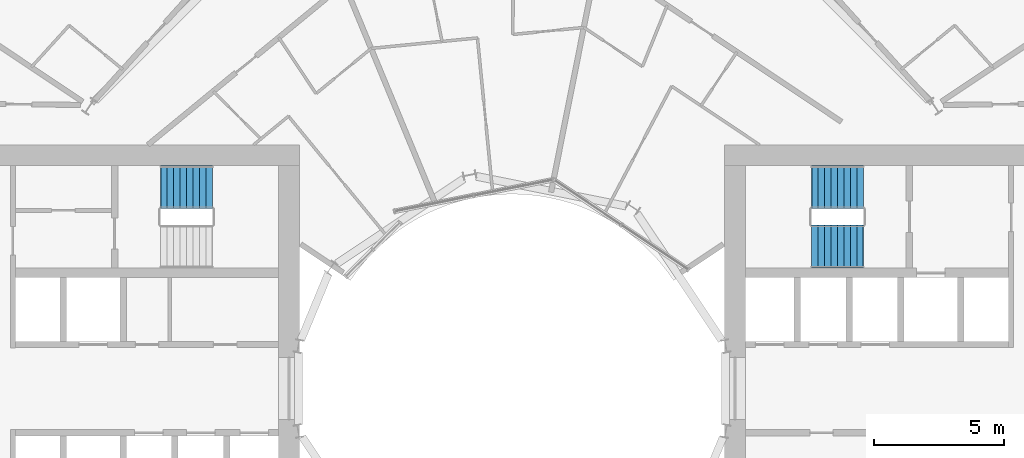
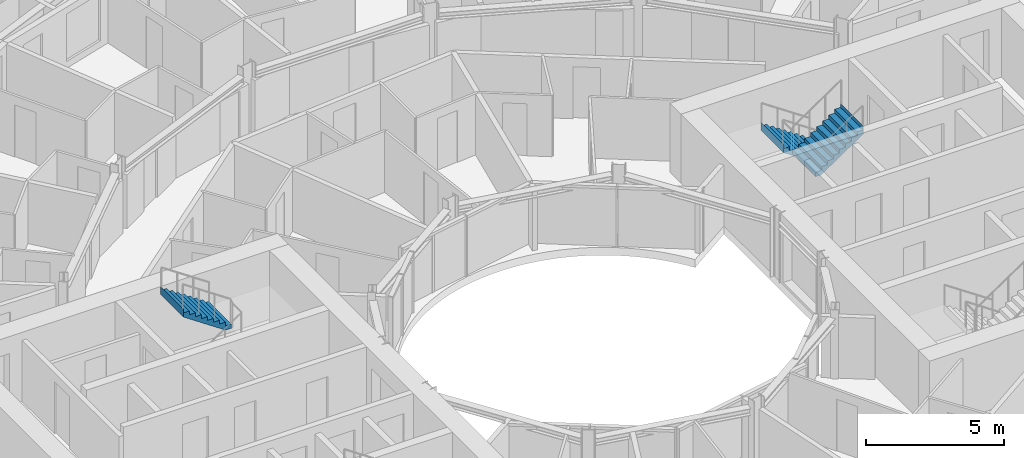
# One storey, part 24 of 26: 3 stair flights, 2 elements without a shape of their own.
"""IFC4 building model written with IfcOpenShell, lengths in metres."""

from ifc_helpers import new_model, si_unit, direction, frame, origin, place, context, subcontext, project, spatial, triangles, material, type_object, element, aggregate, save


model = new_model("IFC4")

# Units and contexts
model_context = context("Model", 3, precision=1e-05, world=origin(), true_north=direction((0.0, 1.0)))
body_context = subcontext(model_context, "Body", "Model", "MODEL_VIEW")
ifc_project = project(units=[si_unit("LENGTHUNIT", "METRE"), si_unit("AREAUNIT", "SQUARE_METRE"), si_unit("VOLUMEUNIT", "CUBIC_METRE"), si_unit("PLANEANGLEUNIT", "RADIAN"), si_unit("MASSUNIT", "GRAM", prefix="KILO")], contexts=[model_context])

# Site, building, storey
site_placement = place(None, origin())
site = spatial("IfcSite", under=ifc_project, at=site_placement, CompositionType="ELEMENT")
building_placement = place(site_placement, origin())
building = spatial("IfcBuilding", under=site, at=building_placement, Name="Maasbend Ring Residences", CompositionType="ELEMENT")
storey_placement = place(building_placement, frame((0.0, 0.0, 22.800048828125)))
storey = spatial("IfcBuildingStorey", under=building, at=storey_placement, Name="L05", CompositionType="ELEMENT", Elevation=22.800048828125)

# Stair, stair flights
ifc_material_1 = material(Name="Concrete C40/50", Category="concrete")
stair_type = type_object("IfcStairType", Name="CORE STAIR 18 RISERS", PredefinedType="HALF_TURN_STAIR", material=ifc_material_1)
stair_1_placement = place(storey_placement, origin())
stair_1 = element("IfcStair", 1, at=stair_1_placement, inside=storey, type_object=stair_type, Name="L05 Exit stair ST-E1", PredefinedType="HALF_TURN_STAIR")
ifc_material_2 = material(Name="Concrete C40/50", Category="concrete")
stair_flight_type = type_object("IfcStairFlightType", Name="CORE STAIR FLIGHT 1650", PredefinedType="STRAIGHT", material=ifc_material_2)
stair_flight_1_placement = place(storey_placement, frame((13.550048828125, 7.77490234375, 0.0), z_axis=(0.0, 0.0, 1.0), x_axis=(-1.0, 0.0, 0.0)))
stair_flight_1 = element("IfcStairFlight", 2, at=stair_flight_1_placement, type_object=stair_flight_type, Name="ST-E1 flight 1", NumberOfRisers=9, NumberOfTreads=8, PredefinedType="STRAIGHT", RiserHeight=0.169444444, TreadLength=0.25, context=body_context, shape_type="Tessellation", body=[
    triangles([(0.24072265625, 0.824951171875, -0.02001953125), (2.0029296875, 0.824951171875, 1.174560546875), (2.0029296875, 0.824951171875, 1.52490234375), (1.989990234375, 0.824951171875, 1.35546875), (1.75, 0.824951171875, 1.35546875), (1.75, 0.824951171875, 1.18603515625), (1.5, 0.824951171875, 1.18603515625), (1.5, 0.824951171875, 1.0166015625), (1.25, 0.824951171875, 1.0166015625), (1.25, 0.824951171875, 0.84716796875), (1.0, 0.824951171875, 0.84716796875), (1.0, 0.824951171875, 0.677734375), (0.75, 0.824951171875, 0.677734375), (0.75, 0.824951171875, 0.50830078125), (0.5, 0.824951171875, 0.50830078125), (0.5, 0.824951171875, 0.3388671875), (0.25, 0.824951171875, 0.3388671875), (0.25, 0.824951171875, 0.16943359375), (0.0, 0.824951171875, 0.16943359375), (0.0, 0.824951171875, 0.0), (-0.0029296875, 0.824951171875, 0.0), (-0.0029296875, 0.824951171875, -0.02001953125), (0.24072265625, 0.27490234375, -0.02001953125), (2.0029296875, 0.27490234375, 1.174560546875), (2.0029296875, 0.27490234375, 1.52490234375), (1.989990234375, 0.27490234375, 1.35546875), (1.75, 0.27490234375, 1.35546875), (1.75, 0.27490234375, 1.18603515625), (1.5, 0.27490234375, 1.18603515625), (1.5, 0.27490234375, 1.0166015625), (1.25, 0.27490234375, 1.0166015625), (1.25, 0.27490234375, 0.84716796875), (1.0, 0.27490234375, 0.84716796875), (1.0, 0.27490234375, 0.677734375), (0.75, 0.27490234375, 0.677734375), (0.75, 0.27490234375, 0.50830078125), (0.5, 0.27490234375, 0.50830078125), (0.5, 0.27490234375, 0.3388671875), (0.25, 0.27490234375, 0.3388671875), (0.25, 0.27490234375, 0.16943359375), (0.0, 0.27490234375, 0.16943359375), (0.0, 0.27490234375, 0.0), (-0.0029296875, 0.27490234375, 0.0), (-0.0029296875, 0.27490234375, -0.02001953125), (0.24072265625, -0.27490234375, -0.02001953125), (2.0029296875, -0.27490234375, 1.174560546875), (2.0029296875, -0.27490234375, 1.52490234375), (1.989990234375, -0.27490234375, 1.35546875), (1.75, -0.27490234375, 1.35546875), (1.75, -0.27490234375, 1.18603515625), (1.5, -0.27490234375, 1.18603515625), (1.5, -0.27490234375, 1.0166015625), (1.25, -0.27490234375, 1.0166015625), (1.25, -0.27490234375, 0.84716796875), (1.0, -0.27490234375, 0.84716796875), (1.0, -0.27490234375, 0.677734375), (0.75, -0.27490234375, 0.677734375), (0.75, -0.27490234375, 0.50830078125), (0.5, -0.27490234375, 0.50830078125), (0.5, -0.27490234375, 0.3388671875), (0.25, -0.27490234375, 0.3388671875), (0.25, -0.27490234375, 0.16943359375), (0.0, -0.27490234375, 0.16943359375), (0.0, -0.27490234375, 0.0), (-0.0029296875, -0.27490234375, 0.0), (-0.0029296875, -0.27490234375, -0.02001953125), (0.24072265625, -0.824951171875, -0.02001953125), (2.0029296875, -0.824951171875, 1.174560546875), (2.0029296875, -0.824951171875, 1.52490234375), (1.989990234375, -0.824951171875, 1.35546875), (1.75, -0.824951171875, 1.35546875), (1.75, -0.824951171875, 1.18603515625), (1.5, -0.824951171875, 1.18603515625), (1.5, -0.824951171875, 1.0166015625), (1.25, -0.824951171875, 1.0166015625), (1.25, -0.824951171875, 0.84716796875), (1.0, -0.824951171875, 0.84716796875), (1.0, -0.824951171875, 0.677734375), (0.75, -0.824951171875, 0.677734375), (0.75, -0.824951171875, 0.50830078125), (0.5, -0.824951171875, 0.50830078125), (0.5, -0.824951171875, 0.3388671875), (0.25, -0.824951171875, 0.3388671875), (0.25, -0.824951171875, 0.16943359375), (0.0, -0.824951171875, 0.16943359375), (0.0, -0.824951171875, 0.0), (-0.0029296875, -0.824951171875, 0.0), (-0.0029296875, -0.824951171875, -0.02001953125)], [[1, 2, 24], [1, 24, 23], [23, 24, 46], [23, 46, 45], [45, 46, 68], [45, 68, 67], [2, 3, 25], [2, 25, 24], [24, 25, 47], [24, 47, 46], [46, 47, 69], [46, 69, 68], [3, 4, 26], [3, 26, 25], [25, 26, 48], [25, 48, 47], [47, 48, 70], [47, 70, 69], [4, 5, 27], [4, 27, 26], [26, 27, 49], [26, 49, 48], [48, 49, 71], [48, 71, 70], [5, 6, 28], [5, 28, 27], [27, 28, 50], [27, 50, 49], [49, 50, 72], [49, 72, 71], [6, 7, 29], [6, 29, 28], [28, 29, 51], [28, 51, 50], [50, 51, 73], [50, 73, 72], [7, 8, 30], [7, 30, 29], [29, 30, 52], [29, 52, 51], [51, 52, 74], [51, 74, 73], [8, 9, 31], [8, 31, 30], [30, 31, 53], [30, 53, 52], [52, 53, 75], [52, 75, 74], [9, 10, 32], [9, 32, 31], [31, 32, 54], [31, 54, 53], [53, 54, 76], [53, 76, 75], [10, 11, 33], [10, 33, 32], [32, 33, 55], [32, 55, 54], [54, 55, 77], [54, 77, 76], [11, 12, 34], [11, 34, 33], [33, 34, 56], [33, 56, 55], [55, 56, 78], [55, 78, 77], [12, 13, 35], [12, 35, 34], [34, 35, 57], [34, 57, 56], [56, 57, 79], [56, 79, 78], [13, 14, 36], [13, 36, 35], [35, 36, 58], [35, 58, 57], [57, 58, 80], [57, 80, 79], [14, 15, 37], [14, 37, 36], [36, 37, 59], [36, 59, 58], [58, 59, 81], [58, 81, 80], [15, 16, 38], [15, 38, 37], [37, 38, 60], [37, 60, 59], [59, 60, 82], [59, 82, 81], [16, 17, 39], [16, 39, 38], [38, 39, 61], [38, 61, 60], [60, 61, 83], [60, 83, 82], [17, 18, 40], [17, 40, 39], [39, 40, 62], [39, 62, 61], [61, 62, 84], [61, 84, 83], [18, 19, 41], [18, 41, 40], [40, 41, 63], [40, 63, 62], [62, 63, 85], [62, 85, 84], [19, 20, 42], [19, 42, 41], [41, 42, 64], [41, 64, 63], [63, 64, 86], [63, 86, 85], [20, 21, 43], [20, 43, 42], [42, 43, 65], [42, 65, 64], [64, 65, 87], [64, 87, 86], [21, 22, 44], [21, 44, 43], [43, 44, 66], [43, 66, 65], [65, 66, 88], [65, 88, 87], [22, 1, 23], [22, 23, 44], [44, 23, 45], [44, 45, 66], [66, 45, 67], [66, 67, 88], [22, 2, 1], [2, 4, 3], [2, 5, 4], [2, 6, 5], [22, 6, 2], [6, 8, 7], [22, 8, 6], [8, 10, 9], [22, 10, 8], [10, 12, 11], [22, 12, 10], [12, 14, 13], [22, 14, 12], [14, 16, 15], [22, 16, 14], [16, 18, 17], [22, 18, 16], [18, 20, 19], [22, 20, 18], [20, 22, 21], [88, 67, 68], [68, 69, 70], [68, 70, 71], [68, 71, 72], [88, 68, 72], [72, 73, 74], [88, 72, 74], [74, 75, 76], [88, 74, 76], [76, 77, 78], [88, 76, 78], [78, 79, 80], [88, 78, 80], [80, 81, 82], [88, 80, 82], [82, 83, 84], [88, 82, 84], [84, 85, 86], [88, 84, 86], [86, 87, 88]], closed=True),
])
stair_flight_2_placement = place(storey_placement, frame((11.550048828125, 5.47509765625, 1.52490234375), z_axis=(0.0, 0.0, 1.0), x_axis=(1.0, 0.0, 0.0)))
stair_flight_2 = element("IfcStairFlight", 3, at=stair_flight_2_placement, type_object=stair_flight_type, Name="ST-E1 flight 2", NumberOfRisers=9, NumberOfTreads=8, PredefinedType="STRAIGHT", RiserHeight=0.169444444, TreadLength=0.25, context=body_context, shape_type="Tessellation", body=[
    triangles([(0.24072265625, 0.824951171875, -0.02001953125), (2.0029296875, 0.824951171875, 1.174560546875), (2.0029296875, 0.824951171875, 1.52490234375), (1.989990234375, 0.824951171875, 1.35546875), (1.75, 0.824951171875, 1.35546875), (1.75, 0.824951171875, 1.18603515625), (1.5, 0.824951171875, 1.18603515625), (1.5, 0.824951171875, 1.0166015625), (1.25, 0.824951171875, 1.0166015625), (1.25, 0.824951171875, 0.84716796875), (1.0, 0.824951171875, 0.84716796875), (1.0, 0.824951171875, 0.677734375), (0.75, 0.824951171875, 0.677734375), (0.75, 0.824951171875, 0.50830078125), (0.5, 0.824951171875, 0.50830078125), (0.5, 0.824951171875, 0.3388671875), (0.25, 0.824951171875, 0.3388671875), (0.25, 0.824951171875, 0.16943359375), (0.0, 0.824951171875, 0.16943359375), (0.0, 0.824951171875, 0.0), (-0.0029296875, 0.824951171875, 0.0), (-0.0029296875, 0.824951171875, -0.02001953125), (0.24072265625, 0.27490234375, -0.02001953125), (2.0029296875, 0.27490234375, 1.174560546875), (2.0029296875, 0.27490234375, 1.52490234375), (1.989990234375, 0.27490234375, 1.35546875), (1.75, 0.27490234375, 1.35546875), (1.75, 0.27490234375, 1.18603515625), (1.5, 0.27490234375, 1.18603515625), (1.5, 0.27490234375, 1.0166015625), (1.25, 0.27490234375, 1.0166015625), (1.25, 0.27490234375, 0.84716796875), (1.0, 0.27490234375, 0.84716796875), (1.0, 0.27490234375, 0.677734375), (0.75, 0.27490234375, 0.677734375), (0.75, 0.27490234375, 0.50830078125), (0.5, 0.27490234375, 0.50830078125), (0.5, 0.27490234375, 0.3388671875), (0.25, 0.27490234375, 0.3388671875), (0.25, 0.27490234375, 0.16943359375), (0.0, 0.27490234375, 0.16943359375), (0.0, 0.27490234375, 0.0), (-0.0029296875, 0.27490234375, 0.0), (-0.0029296875, 0.27490234375, -0.02001953125), (0.24072265625, -0.27490234375, -0.02001953125), (2.0029296875, -0.27490234375, 1.174560546875), (2.0029296875, -0.27490234375, 1.52490234375), (1.989990234375, -0.27490234375, 1.35546875), (1.75, -0.27490234375, 1.35546875), (1.75, -0.27490234375, 1.18603515625), (1.5, -0.27490234375, 1.18603515625), (1.5, -0.27490234375, 1.0166015625), (1.25, -0.27490234375, 1.0166015625), (1.25, -0.27490234375, 0.84716796875), (1.0, -0.27490234375, 0.84716796875), (1.0, -0.27490234375, 0.677734375), (0.75, -0.27490234375, 0.677734375), (0.75, -0.27490234375, 0.50830078125), (0.5, -0.27490234375, 0.50830078125), (0.5, -0.27490234375, 0.3388671875), (0.25, -0.27490234375, 0.3388671875), (0.25, -0.27490234375, 0.16943359375), (0.0, -0.27490234375, 0.16943359375), (0.0, -0.27490234375, 0.0), (-0.0029296875, -0.27490234375, 0.0), (-0.0029296875, -0.27490234375, -0.02001953125), (0.24072265625, -0.824951171875, -0.02001953125), (2.0029296875, -0.824951171875, 1.174560546875), (2.0029296875, -0.824951171875, 1.52490234375), (1.989990234375, -0.824951171875, 1.35546875), (1.75, -0.824951171875, 1.35546875), (1.75, -0.824951171875, 1.18603515625), (1.5, -0.824951171875, 1.18603515625), (1.5, -0.824951171875, 1.0166015625), (1.25, -0.824951171875, 1.0166015625), (1.25, -0.824951171875, 0.84716796875), (1.0, -0.824951171875, 0.84716796875), (1.0, -0.824951171875, 0.677734375), (0.75, -0.824951171875, 0.677734375), (0.75, -0.824951171875, 0.50830078125), (0.5, -0.824951171875, 0.50830078125), (0.5, -0.824951171875, 0.3388671875), (0.25, -0.824951171875, 0.3388671875), (0.25, -0.824951171875, 0.16943359375), (0.0, -0.824951171875, 0.16943359375), (0.0, -0.824951171875, 0.0), (-0.0029296875, -0.824951171875, 0.0), (-0.0029296875, -0.824951171875, -0.02001953125)], [[1, 2, 24], [1, 24, 23], [23, 24, 46], [23, 46, 45], [45, 46, 68], [45, 68, 67], [2, 3, 25], [2, 25, 24], [24, 25, 47], [24, 47, 46], [46, 47, 69], [46, 69, 68], [3, 4, 26], [3, 26, 25], [25, 26, 48], [25, 48, 47], [47, 48, 70], [47, 70, 69], [4, 5, 27], [4, 27, 26], [26, 27, 49], [26, 49, 48], [48, 49, 71], [48, 71, 70], [5, 6, 28], [5, 28, 27], [27, 28, 50], [27, 50, 49], [49, 50, 72], [49, 72, 71], [6, 7, 29], [6, 29, 28], [28, 29, 51], [28, 51, 50], [50, 51, 73], [50, 73, 72], [7, 8, 30], [7, 30, 29], [29, 30, 52], [29, 52, 51], [51, 52, 74], [51, 74, 73], [8, 9, 31], [8, 31, 30], [30, 31, 53], [30, 53, 52], [52, 53, 75], [52, 75, 74], [9, 10, 32], [9, 32, 31], [31, 32, 54], [31, 54, 53], [53, 54, 76], [53, 76, 75], [10, 11, 33], [10, 33, 32], [32, 33, 55], [32, 55, 54], [54, 55, 77], [54, 77, 76], [11, 12, 34], [11, 34, 33], [33, 34, 56], [33, 56, 55], [55, 56, 78], [55, 78, 77], [12, 13, 35], [12, 35, 34], [34, 35, 57], [34, 57, 56], [56, 57, 79], [56, 79, 78], [13, 14, 36], [13, 36, 35], [35, 36, 58], [35, 58, 57], [57, 58, 80], [57, 80, 79], [14, 15, 37], [14, 37, 36], [36, 37, 59], [36, 59, 58], [58, 59, 81], [58, 81, 80], [15, 16, 38], [15, 38, 37], [37, 38, 60], [37, 60, 59], [59, 60, 82], [59, 82, 81], [16, 17, 39], [16, 39, 38], [38, 39, 61], [38, 61, 60], [60, 61, 83], [60, 83, 82], [17, 18, 40], [17, 40, 39], [39, 40, 62], [39, 62, 61], [61, 62, 84], [61, 84, 83], [18, 19, 41], [18, 41, 40], [40, 41, 63], [40, 63, 62], [62, 63, 85], [62, 85, 84], [19, 20, 42], [19, 42, 41], [41, 42, 64], [41, 64, 63], [63, 64, 86], [63, 86, 85], [20, 21, 43], [20, 43, 42], [42, 43, 65], [42, 65, 64], [64, 65, 87], [64, 87, 86], [21, 22, 44], [21, 44, 43], [43, 44, 66], [43, 66, 65], [65, 66, 88], [65, 88, 87], [22, 1, 23], [22, 23, 44], [44, 23, 45], [44, 45, 66], [66, 45, 67], [66, 67, 88], [22, 2, 1], [2, 4, 3], [2, 5, 4], [2, 6, 5], [22, 6, 2], [6, 8, 7], [22, 8, 6], [8, 10, 9], [22, 10, 8], [10, 12, 11], [22, 12, 10], [12, 14, 13], [22, 14, 12], [14, 16, 15], [22, 16, 14], [16, 18, 17], [22, 18, 16], [18, 20, 19], [22, 20, 18], [20, 22, 21], [88, 67, 68], [68, 69, 70], [68, 70, 71], [68, 71, 72], [88, 68, 72], [72, 73, 74], [88, 72, 74], [74, 75, 76], [88, 74, 76], [76, 77, 78], [88, 76, 78], [78, 79, 80], [88, 78, 80], [80, 81, 82], [88, 80, 82], [82, 83, 84], [88, 82, 84], [84, 85, 86], [88, 84, 86], [86, 87, 88]], closed=True),
])
aggregate(stair_1, [stair_flight_1, stair_flight_2])

# Stair, stair flight
stair_2_placement = place(storey_placement, origin())
stair_2 = element("IfcStair", 4, at=stair_2_placement, inside=storey, type_object=stair_type, Name="L05 Exit stair ST-W2", PredefinedType="HALF_TURN_STAIR")
stair_flight_3_placement = place(storey_placement, frame((-11.550048828125, 7.77490234375, 1.52490234375), z_axis=(0.0, 0.0, 1.0), x_axis=(-1.0, 0.0, 0.0)))
stair_flight_3 = element("IfcStairFlight", 5, at=stair_flight_3_placement, type_object=stair_flight_type, Name="ST-W2 flight 2", NumberOfRisers=9, NumberOfTreads=8, PredefinedType="STRAIGHT", RiserHeight=0.169444444, TreadLength=0.25, context=body_context, shape_type="Tessellation", body=[
    triangles([(0.24072265625, 0.824951171875, -0.02001953125), (2.0029296875, 0.824951171875, 1.174560546875), (2.0029296875, 0.824951171875, 1.52490234375), (1.989990234375, 0.824951171875, 1.35546875), (1.75, 0.824951171875, 1.35546875), (1.75, 0.824951171875, 1.18603515625), (1.5, 0.824951171875, 1.18603515625), (1.5, 0.824951171875, 1.0166015625), (1.25, 0.824951171875, 1.0166015625), (1.25, 0.824951171875, 0.84716796875), (1.0, 0.824951171875, 0.84716796875), (1.0, 0.824951171875, 0.677734375), (0.75, 0.824951171875, 0.677734375), (0.75, 0.824951171875, 0.50830078125), (0.5, 0.824951171875, 0.50830078125), (0.5, 0.824951171875, 0.3388671875), (0.25, 0.824951171875, 0.3388671875), (0.25, 0.824951171875, 0.16943359375), (0.0, 0.824951171875, 0.16943359375), (0.0, 0.824951171875, 0.0), (-0.0029296875, 0.824951171875, 0.0), (-0.0029296875, 0.824951171875, -0.02001953125), (0.24072265625, 0.27490234375, -0.02001953125), (2.0029296875, 0.27490234375, 1.174560546875), (2.0029296875, 0.27490234375, 1.52490234375), (1.989990234375, 0.27490234375, 1.35546875), (1.75, 0.27490234375, 1.35546875), (1.75, 0.27490234375, 1.18603515625), (1.5, 0.27490234375, 1.18603515625), (1.5, 0.27490234375, 1.0166015625), (1.25, 0.27490234375, 1.0166015625), (1.25, 0.27490234375, 0.84716796875), (1.0, 0.27490234375, 0.84716796875), (1.0, 0.27490234375, 0.677734375), (0.75, 0.27490234375, 0.677734375), (0.75, 0.27490234375, 0.50830078125), (0.5, 0.27490234375, 0.50830078125), (0.5, 0.27490234375, 0.3388671875), (0.25, 0.27490234375, 0.3388671875), (0.25, 0.27490234375, 0.16943359375), (0.0, 0.27490234375, 0.16943359375), (0.0, 0.27490234375, 0.0), (-0.0029296875, 0.27490234375, 0.0), (-0.0029296875, 0.27490234375, -0.02001953125), (0.24072265625, -0.27490234375, -0.02001953125), (2.0029296875, -0.27490234375, 1.174560546875), (2.0029296875, -0.27490234375, 1.52490234375), (1.989990234375, -0.27490234375, 1.35546875), (1.75, -0.27490234375, 1.35546875), (1.75, -0.27490234375, 1.18603515625), (1.5, -0.27490234375, 1.18603515625), (1.5, -0.27490234375, 1.0166015625), (1.25, -0.27490234375, 1.0166015625), (1.25, -0.27490234375, 0.84716796875), (1.0, -0.27490234375, 0.84716796875), (1.0, -0.27490234375, 0.677734375), (0.75, -0.27490234375, 0.677734375), (0.75, -0.27490234375, 0.50830078125), (0.5, -0.27490234375, 0.50830078125), (0.5, -0.27490234375, 0.3388671875), (0.25, -0.27490234375, 0.3388671875), (0.25, -0.27490234375, 0.16943359375), (0.0, -0.27490234375, 0.16943359375), (0.0, -0.27490234375, 0.0), (-0.0029296875, -0.27490234375, 0.0), (-0.0029296875, -0.27490234375, -0.02001953125), (0.24072265625, -0.824951171875, -0.02001953125), (2.0029296875, -0.824951171875, 1.174560546875), (2.0029296875, -0.824951171875, 1.52490234375), (1.989990234375, -0.824951171875, 1.35546875), (1.75, -0.824951171875, 1.35546875), (1.75, -0.824951171875, 1.18603515625), (1.5, -0.824951171875, 1.18603515625), (1.5, -0.824951171875, 1.0166015625), (1.25, -0.824951171875, 1.0166015625), (1.25, -0.824951171875, 0.84716796875), (1.0, -0.824951171875, 0.84716796875), (1.0, -0.824951171875, 0.677734375), (0.75, -0.824951171875, 0.677734375), (0.75, -0.824951171875, 0.50830078125), (0.5, -0.824951171875, 0.50830078125), (0.5, -0.824951171875, 0.3388671875), (0.25, -0.824951171875, 0.3388671875), (0.25, -0.824951171875, 0.16943359375), (0.0, -0.824951171875, 0.16943359375), (0.0, -0.824951171875, 0.0), (-0.0029296875, -0.824951171875, 0.0), (-0.0029296875, -0.824951171875, -0.02001953125)], [[1, 2, 24], [1, 24, 23], [23, 24, 46], [23, 46, 45], [45, 46, 68], [45, 68, 67], [2, 3, 25], [2, 25, 24], [24, 25, 47], [24, 47, 46], [46, 47, 69], [46, 69, 68], [3, 4, 26], [3, 26, 25], [25, 26, 48], [25, 48, 47], [47, 48, 70], [47, 70, 69], [4, 5, 27], [4, 27, 26], [26, 27, 49], [26, 49, 48], [48, 49, 71], [48, 71, 70], [5, 6, 28], [5, 28, 27], [27, 28, 50], [27, 50, 49], [49, 50, 72], [49, 72, 71], [6, 7, 29], [6, 29, 28], [28, 29, 51], [28, 51, 50], [50, 51, 73], [50, 73, 72], [7, 8, 30], [7, 30, 29], [29, 30, 52], [29, 52, 51], [51, 52, 74], [51, 74, 73], [8, 9, 31], [8, 31, 30], [30, 31, 53], [30, 53, 52], [52, 53, 75], [52, 75, 74], [9, 10, 32], [9, 32, 31], [31, 32, 54], [31, 54, 53], [53, 54, 76], [53, 76, 75], [10, 11, 33], [10, 33, 32], [32, 33, 55], [32, 55, 54], [54, 55, 77], [54, 77, 76], [11, 12, 34], [11, 34, 33], [33, 34, 56], [33, 56, 55], [55, 56, 78], [55, 78, 77], [12, 13, 35], [12, 35, 34], [34, 35, 57], [34, 57, 56], [56, 57, 79], [56, 79, 78], [13, 14, 36], [13, 36, 35], [35, 36, 58], [35, 58, 57], [57, 58, 80], [57, 80, 79], [14, 15, 37], [14, 37, 36], [36, 37, 59], [36, 59, 58], [58, 59, 81], [58, 81, 80], [15, 16, 38], [15, 38, 37], [37, 38, 60], [37, 60, 59], [59, 60, 82], [59, 82, 81], [16, 17, 39], [16, 39, 38], [38, 39, 61], [38, 61, 60], [60, 61, 83], [60, 83, 82], [17, 18, 40], [17, 40, 39], [39, 40, 62], [39, 62, 61], [61, 62, 84], [61, 84, 83], [18, 19, 41], [18, 41, 40], [40, 41, 63], [40, 63, 62], [62, 63, 85], [62, 85, 84], [19, 20, 42], [19, 42, 41], [41, 42, 64], [41, 64, 63], [63, 64, 86], [63, 86, 85], [20, 21, 43], [20, 43, 42], [42, 43, 65], [42, 65, 64], [64, 65, 87], [64, 87, 86], [21, 22, 44], [21, 44, 43], [43, 44, 66], [43, 66, 65], [65, 66, 88], [65, 88, 87], [22, 1, 23], [22, 23, 44], [44, 23, 45], [44, 45, 66], [66, 45, 67], [66, 67, 88], [22, 2, 1], [2, 4, 3], [2, 5, 4], [2, 6, 5], [22, 6, 2], [6, 8, 7], [22, 8, 6], [8, 10, 9], [22, 10, 8], [10, 12, 11], [22, 12, 10], [12, 14, 13], [22, 14, 12], [14, 16, 15], [22, 16, 14], [16, 18, 17], [22, 18, 16], [18, 20, 19], [22, 20, 18], [20, 22, 21], [88, 67, 68], [68, 69, 70], [68, 70, 71], [68, 71, 72], [88, 68, 72], [72, 73, 74], [88, 72, 74], [74, 75, 76], [88, 74, 76], [76, 77, 78], [88, 76, 78], [78, 79, 80], [88, 78, 80], [80, 81, 82], [88, 80, 82], [82, 83, 84], [88, 82, 84], [84, 85, 86], [88, 84, 86], [86, 87, 88]], closed=True),
])
aggregate(stair_2, [stair_flight_3])

save(model, "model.ifc")
